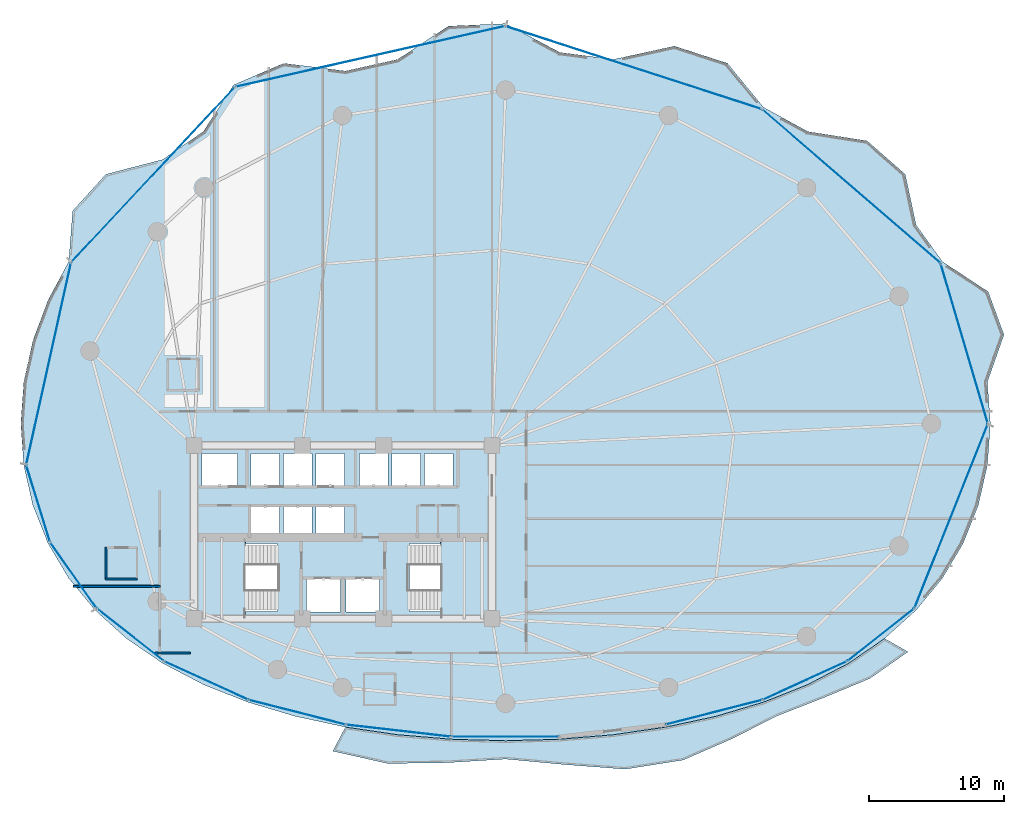
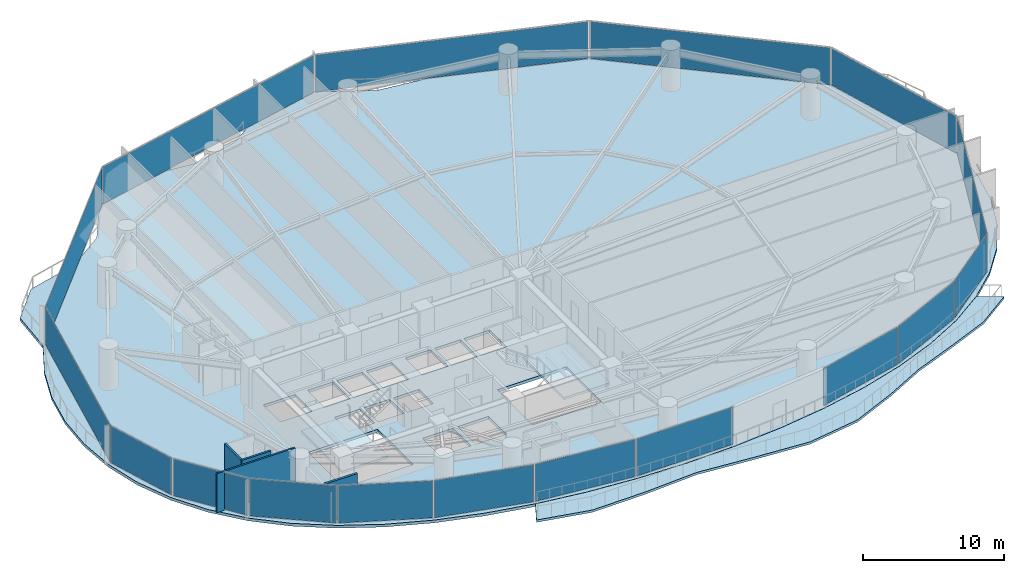
# One storey, part 25 of 33: 17 plates, 4 slabs, 4 walls, 19 elements without a shape of their own.
"""IFC4 building model written with IfcOpenShell, lengths in metres."""

from ifc_helpers import new_model, si_unit, direction, frame, frame_2d, origin, origin_2d, place, context, subcontext, project, spatial, polyline, rectangle, outline, extrude, material, layer, layer_set, type_object, element, aggregate, save


model = new_model("IFC4")

# Units and contexts
model_context = context("Model", 3, precision=1e-05, world=origin(), true_north=direction((0.0, 1.0)))
body_context = subcontext(model_context, "Body", "Model", "MODEL_VIEW")
ifc_project = project(units=[si_unit("LENGTHUNIT", "METRE"), si_unit("AREAUNIT", "SQUARE_METRE"), si_unit("VOLUMEUNIT", "CUBIC_METRE"), si_unit("PLANEANGLEUNIT", "RADIAN"), si_unit("MASSUNIT", "GRAM", prefix="KILO")], contexts=[model_context])

# Site, building, storey
site_placement = place(None, origin())
site = spatial("IfcSite", under=ifc_project, at=site_placement, CompositionType="ELEMENT")
building_placement = place(site_placement, origin())
building = spatial("IfcBuilding", under=site, at=building_placement, Name="Kazevale Care Tower and Concert Hall", CompositionType="ELEMENT")
storey_placement = place(building_placement, frame((0.0, 0.0, 27.60009765625)))
storey = spatial("IfcBuildingStorey", under=building, at=storey_placement, Name="L06", CompositionType="ELEMENT", Elevation=27.60009765625)

# Curtain wall, plate
ifc_material_1 = material(Name="Aluminium 6063-T6 and Low-E Glass", Category="aluminium")
ifc_layer_1 = layer(ifc_material_1, 0.179931640625)
ifc_layer_set_1 = layer_set([ifc_layer_1], Name="Aluminium 6063-T6 and Low-E Glass")
curtain_wall_type_1 = type_object("IfcCurtainWallType", Name="Convex Checkerboard Finned Curtain Wall CW-2", PredefinedType="NOTDEFINED", material=ifc_layer_set_1)
curtain_wall_1_placement = place(storey_placement, origin())
curtain_wall_1 = element("IfcCurtainWall", 1, at=curtain_wall_1_placement, inside=storey, type_object=curtain_wall_type_1, Name="cw:L06:f14", PredefinedType="NOTDEFINED")
ifc_material_2 = material(Name="Low-E Laminated Glass", Category="glass")
ifc_layer_2 = layer(ifc_material_2, 0.028076171875)
ifc_layer_set_2 = layer_set([ifc_layer_2], Name="Low-E Laminated Glass")
plate_type_1 = type_object("IfcPlateType", Name="CW-2 Low-E Glazing Panel 28mm", PredefinedType="CURTAIN_PANEL", material=ifc_layer_set_2)
plate_1_placement = place(storey_placement, frame((18.9794921875, 56.39990234375, 0.074951171875), z_axis=(0.0, 0.0, 1.0), x_axis=(0.683059159381, 0.730363049987, 0.0)))
plate_1 = element("IfcPlate", 2, at=plate_1_placement, type_object=plate_type_1, Name="CW-2 panel 1.1", PredefinedType="CURTAIN_PANEL", context=body_context, shape_type="SweptSolid", body=[
    extrude(rectangle(XDim=17.576416015625, YDim=0.028076171875, at=origin_2d()), origin(), (0.0, 0.0, 1.0), 3.2099609375),
])
aggregate(curtain_wall_1, [plate_1])

curtain_wall_2_placement = place(storey_placement, origin())
curtain_wall_2 = element("IfcCurtainWall", 3, at=curtain_wall_2_placement, inside=storey, type_object=curtain_wall_type_1, Name="cw:L06:f16", PredefinedType="NOTDEFINED")
plate_2_placement = place(storey_placement, frame((54.444580078125, 64.298095703125, 0.074951171875), z_axis=(0.0, 0.0, 1.0), x_axis=(0.951410385043, -0.307925769029, 0.0)))
plate_2 = element("IfcPlate", 4, at=plate_2_placement, type_object=plate_type_1, Name="CW-2 panel 1.1", PredefinedType="CURTAIN_PANEL", context=body_context, shape_type="SweptSolid", body=[
    extrude(rectangle(XDim=19.77978515625, YDim=0.028076171875, at=origin_2d()), origin(), (0.0, 0.0, 1.0), 3.2099609375),
])
aggregate(curtain_wall_2, [plate_2])

ifc_layer_3 = layer(ifc_material_1, 0.179931640625)
ifc_layer_set_3 = layer_set([ifc_layer_3], Name="Aluminium 6063-T6 and Low-E Glass")
curtain_wall_type_2 = type_object("IfcCurtainWallType", Name="Convex Recessed Sunroom Curtain Wall CW-3", PredefinedType="NOTDEFINED", material=ifc_layer_set_3)
curtain_wall_3_placement = place(storey_placement, origin())
curtain_wall_3 = element("IfcCurtainWall", 5, at=curtain_wall_3_placement, inside=storey, type_object=curtain_wall_type_2, Name="cw:L06:f15", PredefinedType="NOTDEFINED")
ifc_layer_4 = layer(ifc_material_2, 0.028076171875)
ifc_layer_set_4 = layer_set([ifc_layer_4], Name="Low-E Laminated Glass")
plate_type_2 = type_object("IfcPlateType", Name="CW-3 Low-E Glazing Panel 28mm", PredefinedType="CURTAIN_PANEL", material=ifc_layer_set_4)
plate_3_placement = place(storey_placement, frame((34.998046875, 65.12255859375, 0.074951171875), z_axis=(0.0, 0.0, 1.0), x_axis=(0.975520013596, 0.219910670667, 0.0)))
plate_3 = element("IfcPlate", 6, at=plate_3_placement, type_object=plate_type_2, Name="CW-3 panel 1.1", PredefinedType="CURTAIN_PANEL", context=body_context, shape_type="SweptSolid", body=[
    extrude(rectangle(XDim=20.27197265625, YDim=0.028076171875, at=origin_2d()), origin(), (0.0, 0.0, 1.0), 3.2099609375),
])
aggregate(curtain_wall_3, [plate_3])

curtain_wall_4_placement = place(storey_placement, origin())
curtain_wall_4 = element("IfcCurtainWall", 7, at=curtain_wall_4_placement, inside=storey, type_object=curtain_wall_type_2, Name="cw:L06:f17", PredefinedType="NOTDEFINED")
plate_4_placement = place(storey_placement, frame((70.529052734375, 55.535400390625, 0.074951171875), z_axis=(0.0, 0.0, 1.0), x_axis=(0.757199570248, -0.653183596561, 0.0)))
plate_4 = element("IfcPlate", 8, at=plate_4_placement, type_object=plate_type_2, Name="CW-3 panel 1.1", PredefinedType="CURTAIN_PANEL", context=body_context, shape_type="SweptSolid", body=[
    extrude(rectangle(XDim=17.280029296875, YDim=0.028076171875, at=origin_2d()), origin(), (0.0, 0.0, 1.0), 3.2099609375),
])
aggregate(curtain_wall_4, [plate_4])

ifc_layer_5 = layer(ifc_material_1, 0.179931640625)
ifc_layer_set_5 = layer_set([ifc_layer_5], Name="Aluminium 6063-T6 and Low-E Glass")
curtain_wall_type_3 = type_object("IfcCurtainWallType", Name="Waist & Upper Residential Curtain Wall CW-4", PredefinedType="NOTDEFINED", material=ifc_layer_set_5)
curtain_wall_5_placement = place(storey_placement, origin())
curtain_wall_5 = element("IfcCurtainWall", 9, at=curtain_wall_5_placement, inside=storey, type_object=curtain_wall_type_3, Name="cw:L06:f01", PredefinedType="NOTDEFINED")
ifc_layer_6 = layer(ifc_material_2, 0.030029296875)
ifc_layer_set_6 = layer_set([ifc_layer_6], Name="Low-E Laminated Glass")
plate_type_3 = type_object("IfcPlateType", Name="CW-4 Low-E Glazing Panel 30mm", PredefinedType="CURTAIN_PANEL", material=ifc_layer_set_6)
plate_5_placement = place(storey_placement, frame((77.90087890625, 31.181884765625, 0.080078125), z_axis=(0.0, 0.0, 1.0), x_axis=(-0.370427424456, -0.928861412274, 0.0)))
plate_5 = element("IfcPlate", 10, at=plate_5_placement, type_object=plate_type_3, Name="CW-4 panel 1.1", PredefinedType="CURTAIN_PANEL", context=body_context, shape_type="SweptSolid", body=[
    extrude(rectangle(XDim=14.520263671875, YDim=0.030029296875, at=origin_2d()), origin(), (0.0, 0.0, 1.0), 3.199951171875),
])
aggregate(curtain_wall_5, [plate_5])

curtain_wall_6_placement = place(storey_placement, origin())
curtain_wall_6 = element("IfcCurtainWall", 11, at=curtain_wall_6_placement, inside=storey, type_object=curtain_wall_type_3, Name="cw:L06:f11", PredefinedType="NOTDEFINED")
plate_6_placement = place(storey_placement, frame((13.094482421875, 26.81103515625, 0.080078125), z_axis=(0.0, 0.0, 1.0), x_axis=(-0.575836813322, 0.817564654583, 0.0)))
plate_6 = element("IfcPlate", 12, at=plate_6_placement, type_object=plate_type_3, Name="CW-4 panel 1.1", PredefinedType="CURTAIN_PANEL", context=body_context, shape_type="SweptSolid", body=[
    extrude(rectangle(XDim=5.826171875, YDim=0.030029296875, at=origin_2d()), origin(), (0.0, 0.0, 1.0), 3.199951171875),
])
aggregate(curtain_wall_6, [plate_6])

curtain_wall_7_placement = place(storey_placement, origin())
curtain_wall_7 = element("IfcCurtainWall", 13, at=curtain_wall_7_placement, inside=storey, type_object=curtain_wall_type_3, Name="cw:L06:f12", PredefinedType="NOTDEFINED")
plate_7_placement = place(storey_placement, frame((10.487548828125, 32.10791015625, 0.080078125), z_axis=(0.0, 0.0, 1.0), x_axis=(-0.296098771112, 0.955157326175, 0.0)))
plate_7 = element("IfcPlate", 14, at=plate_7_placement, type_object=plate_type_3, Name="CW-4 panel 1.1", PredefinedType="CURTAIN_PANEL", context=body_context, shape_type="SweptSolid", body=[
    extrude(rectangle(XDim=5.8076171875, YDim=0.030029296875, at=origin_2d()), origin(), (0.0, 0.0, 1.0), 3.199951171875),
])
aggregate(curtain_wall_7, [plate_7])

curtain_wall_8_placement = place(storey_placement, origin())
curtain_wall_8 = element("IfcCurtainWall", 15, at=curtain_wall_8_placement, inside=storey, type_object=curtain_wall_type_3, Name="cw:L06:f13", PredefinedType="NOTDEFINED")
plate_8_placement = place(storey_placement, frame((11.262939453125, 42.4404296875, 0.080078125), z_axis=(0.0, 0.0, 1.0), x_axis=(0.216460716862, 0.976291328475, 0.0)))
plate_8 = element("IfcPlate", 16, at=plate_8_placement, type_object=plate_type_3, Name="CW-4 panel 1.1", PredefinedType="CURTAIN_PANEL", context=body_context, shape_type="SweptSolid", body=[
    extrude(rectangle(XDim=15.16845703125, YDim=0.030029296875, at=origin_2d()), origin(), (0.0, 0.0, 1.0), 3.199951171875),
])
aggregate(curtain_wall_8, [plate_8])

curtain_wall_9_placement = place(storey_placement, origin())
curtain_wall_9 = element("IfcCurtainWall", 17, at=curtain_wall_9_placement, inside=storey, type_object=curtain_wall_type_3, Name="cw:L06:f18", PredefinedType="NOTDEFINED")
plate_9_placement = place(storey_placement, frame((78.8740234375, 43.92138671875, 0.080078125), z_axis=(0.0, 0.0, 1.0), x_axis=(0.282819600918, -0.959173119586, 0.0)))
plate_9 = element("IfcPlate", 18, at=plate_9_placement, type_object=plate_type_3, Name="CW-4 panel 1.1", PredefinedType="CURTAIN_PANEL", context=body_context, shape_type="SweptSolid", body=[
    extrude(rectangle(XDim=12.18701171875, YDim=0.030029296875, at=origin_2d()), origin(), (0.0, 0.0, 1.0), 3.199951171875),
])
aggregate(curtain_wall_9, [plate_9])

ifc_layer_7 = layer(ifc_material_1, 0.179931640625)
ifc_layer_set_7 = layer_set([ifc_layer_7], Name="Aluminium 6063-T6 and Low-E Glass")
curtain_wall_type_4 = type_object("IfcCurtainWallType", Name="Sheltered Concave Balcony Curtain Wall CW-5", PredefinedType="NOTDEFINED", material=ifc_layer_set_7)
curtain_wall_10_placement = place(storey_placement, origin())
curtain_wall_10 = element("IfcCurtainWall", 19, at=curtain_wall_10_placement, inside=storey, type_object=curtain_wall_type_4, Name="cw:L06:f02", PredefinedType="NOTDEFINED")
ifc_layer_8 = layer(ifc_material_2, 0.02587890625)
ifc_layer_set_8 = layer_set([ifc_layer_8], Name="Low-E Laminated Glass")
plate_type_4 = type_object("IfcPlateType", Name="CW-5 Low-E Glazing Panel 26mm", PredefinedType="CURTAIN_PANEL", material=ifc_layer_set_8)
plate_10_placement = place(storey_placement, frame((72.701904296875, 22.41552734375, 0.074951171875), z_axis=(0.0, 0.0, 1.0), x_axis=(-0.78632934107, -0.617807548814, 0.0)))
plate_10 = element("IfcPlate", 20, at=plate_10_placement, type_object=plate_type_4, Name="CW-5 panel 1.1", PredefinedType="CURTAIN_PANEL", context=body_context, shape_type="SweptSolid", body=[
    extrude(rectangle(XDim=6.15771484375, YDim=0.02587890625, at=origin_2d()), origin(), (0.0, 0.0, 1.0), 3.2099609375),
])
aggregate(curtain_wall_10, [plate_10])

curtain_wall_11_placement = place(storey_placement, origin())
curtain_wall_11 = element("IfcCurtainWall", 21, at=curtain_wall_11_placement, inside=storey, type_object=curtain_wall_type_4, Name="cw:L06:f03", PredefinedType="NOTDEFINED")
plate_11_placement = place(storey_placement, frame((67.10498046875, 19.04248046875, 0.074951171875), z_axis=(0.0, 0.0, 1.0), x_axis=(-0.909520179795, -0.415659767773, 0.0)))
plate_11 = element("IfcPlate", 22, at=plate_11_placement, type_object=plate_type_4, Name="CW-5 panel 1.1", PredefinedType="CURTAIN_PANEL", context=body_context, shape_type="SweptSolid", body=[
    extrude(rectangle(XDim=6.7041015625, YDim=0.02587890625, at=origin_2d()), origin(), (0.0, 0.0, 1.0), 3.2099609375),
])
aggregate(curtain_wall_11, [plate_11])

curtain_wall_12_placement = place(storey_placement, origin())
curtain_wall_12 = element("IfcCurtainWall", 23, at=curtain_wall_12_placement, inside=storey, type_object=curtain_wall_type_4, Name="cw:L06:f04", PredefinedType="NOTDEFINED")
plate_12_placement = place(storey_placement, frame((60.389892578125, 16.699951171875, 0.074951171875), z_axis=(0.0, 0.0, 1.0), x_axis=(-0.968958899798, -0.247221864936, 0.0)))
plate_12 = element("IfcPlate", 24, at=plate_12_placement, type_object=plate_type_4, Name="CW-5 panel 1.1", PredefinedType="CURTAIN_PANEL", context=body_context, shape_type="SweptSolid", body=[
    extrude(rectangle(XDim=7.276611328125, YDim=0.02587890625, at=origin_2d()), origin(), (0.0, 0.0, 1.0), 3.2099609375),
])
aggregate(curtain_wall_12, [plate_12])

curtain_wall_13_placement = place(storey_placement, origin())
curtain_wall_13 = element("IfcCurtainWall", 25, at=curtain_wall_13_placement, inside=storey, type_object=curtain_wall_type_4, Name="cw:L06:f06", PredefinedType="NOTDEFINED")
plate_13_placement = place(storey_placement, frame((45.0, 14.889892578125, 0.074951171875), z_axis=(0.0, 0.0, 1.0), x_axis=(-1.0, 0.0, 0.0)))
plate_13 = element("IfcPlate", 26, at=plate_13_placement, type_object=plate_type_4, Name="CW-5 panel 1.1", PredefinedType="CURTAIN_PANEL", context=body_context, shape_type="SweptSolid", body=[
    extrude(rectangle(XDim=7.845947265625, YDim=0.02587890625, at=origin_2d()), origin(), (0.0, 0.0, 1.0), 3.2099609375),
])
aggregate(curtain_wall_13, [plate_13])

curtain_wall_14_placement = place(storey_placement, origin())
curtain_wall_14 = element("IfcCurtainWall", 27, at=curtain_wall_14_placement, inside=storey, type_object=curtain_wall_type_4, Name="cw:L06:f07", PredefinedType="NOTDEFINED")
plate_14_placement = place(storey_placement, frame((37.10498046875, 15.3359375, 0.074951171875), z_axis=(0.0, 0.0, 1.0), x_axis=(-0.993514581883, 0.113704773808, 0.0)))
plate_14 = element("IfcPlate", 28, at=plate_14_placement, type_object=plate_type_4, Name="CW-5 panel 1.1", PredefinedType="CURTAIN_PANEL", context=body_context, shape_type="SweptSolid", body=[
    extrude(rectangle(XDim=7.69482421875, YDim=0.02587890625, at=origin_2d()), origin(), (0.0, 0.0, 1.0), 3.2099609375),
])
aggregate(curtain_wall_14, [plate_14])

curtain_wall_15_placement = place(storey_placement, origin())
curtain_wall_15 = element("IfcCurtainWall", 29, at=curtain_wall_15_placement, inside=storey, type_object=curtain_wall_type_4, Name="cw:L06:f08", PredefinedType="NOTDEFINED")
plate_15_placement = place(storey_placement, frame((29.610107421875, 16.699951171875, 0.074951171875), z_axis=(0.0, 0.0, 1.0), x_axis=(-0.968958899798, 0.247221864936, 0.0)))
plate_15 = element("IfcPlate", 30, at=plate_15_placement, type_object=plate_type_4, Name="CW-5 panel 1.1", PredefinedType="CURTAIN_PANEL", context=body_context, shape_type="SweptSolid", body=[
    extrude(rectangle(XDim=7.276611328125, YDim=0.02587890625, at=origin_2d()), origin(), (0.0, 0.0, 1.0), 3.2099609375),
])
aggregate(curtain_wall_15, [plate_15])

curtain_wall_16_placement = place(storey_placement, origin())
curtain_wall_16 = element("IfcCurtainWall", 31, at=curtain_wall_16_placement, inside=storey, type_object=curtain_wall_type_4, Name="cw:L06:f09", PredefinedType="NOTDEFINED")
plate_16_placement = place(storey_placement, frame((22.89501953125, 19.04248046875, 0.074951171875), z_axis=(0.0, 0.0, 1.0), x_axis=(-0.909520179795, 0.415659767773, 0.0)))
plate_16 = element("IfcPlate", 32, at=plate_16_placement, type_object=plate_type_4, Name="CW-5 panel 1.1", PredefinedType="CURTAIN_PANEL", context=body_context, shape_type="SweptSolid", body=[
    extrude(rectangle(XDim=6.7041015625, YDim=0.02587890625, at=origin_2d()), origin(), (0.0, 0.0, 1.0), 3.2099609375),
])
aggregate(curtain_wall_16, [plate_16])

curtain_wall_17_placement = place(storey_placement, origin())
curtain_wall_17 = element("IfcCurtainWall", 33, at=curtain_wall_17_placement, inside=storey, type_object=curtain_wall_type_4, Name="cw:L06:f10", PredefinedType="NOTDEFINED")
plate_17_placement = place(storey_placement, frame((17.298095703125, 22.41552734375, 0.074951171875), z_axis=(0.0, 0.0, 1.0), x_axis=(-0.78632934107, 0.617807548814, 0.0)))
plate_17 = element("IfcPlate", 34, at=plate_17_placement, type_object=plate_type_4, Name="CW-5 panel 1.1", PredefinedType="CURTAIN_PANEL", context=body_context, shape_type="SweptSolid", body=[
    extrude(rectangle(XDim=6.15771484375, YDim=0.02587890625, at=origin_2d()), origin(), (0.0, 0.0, 1.0), 3.2099609375),
])
aggregate(curtain_wall_17, [plate_17])

# Slab
ifc_material_3 = material(Name="Concrete C40", Category="concrete")
ifc_layer_9 = layer(ifc_material_3, 0.199951171875)
ifc_layer_set_9 = layer_set([ifc_layer_9], Name="Concrete C40")
slab_type_1 = type_object("IfcSlabType", Name="Sinusoidal Concave Balcony Slab 200", PredefinedType="USERDEFINED", material=ifc_layer_set_9)
slab_1_placement = place(storey_placement, frame((0.0, 0.0, -0.2001953125)))
element("IfcSlab", 35, at=slab_1_placement, inside=storey, type_object=slab_type_1, Name="slab:L06:bal", ObjectType="BALCONY", PredefinedType="USERDEFINED", context=body_context, shape_type="SweptSolid", body=[
    extrude(outline(polyline([(74.71484375, 21.166015625), (71.909423828125, 19.197509765625), (68.461181640625, 17.7646484375), (65.004150390625, 16.41455078125), (61.725830078125, 14.74462890625), (58.10986328125, 13.169921875), (53.849609375, 12.497802734375), (49.330322265625, 12.839599609375), (45.0, 13.246337890625), (40.693115234375, 12.9755859375), (36.295654296875, 12.91650390625), (32.23828125, 13.8291015625), (33.173583984375, 15.6005859375), (33.175048828125, 15.600341796875), (37.033203125, 15.038818359375), (40.991455078125, 14.705322265625), (45.0, 14.594970703125), (49.008544921875, 14.705322265625), (52.966796875, 15.038818359375), (56.824951171875, 15.600341796875), (60.5341796875, 16.3984375), (64.04833984375, 17.443115234375), (67.322998046875, 18.743408203125), (70.31689453125, 20.3076171875), (72.99267578125, 22.139404296875), (72.994140625, 22.140625), (74.71484375, 21.166015625)])), origin(), (0.0, 0.0, 1.0), 0.2001953125),
])

# Stair, slab
stair_type = type_object("IfcStairType", Name="Exit Stair Assembly ST1-Z1", PredefinedType="HALF_TURN_STAIR", material=ifc_material_3)
stair_1_placement = place(storey_placement, origin())
stair_1 = element("IfcStair", 36, at=stair_1_placement, inside=storey, type_object=stair_type, Name="stair:L06:ST1", PredefinedType="HALF_TURN_STAIR")
ifc_layer_10 = layer(ifc_material_3, 0.199951171875)
ifc_layer_set_10 = layer_set([ifc_layer_10], Name="Concrete C40")
slab_type_2 = type_object("IfcSlabType", Name="Stair Half-Landing Slab ST1-Z1", PredefinedType="LANDING", material=ifc_layer_set_10)
slab_2_placement = place(storey_placement, frame((0.0, 0.0, 1.599853515625)))
slab_2 = element("IfcSlab", 37, at=slab_2_placement, type_object=slab_type_2, Name="ST1-Z1 landing 1", PredefinedType="LANDING", context=body_context, shape_type="SweptSolid", body=[
    extrude(outline(polyline([(22.050048828125, 23.699951171875), (25.81005859375, 23.699951171875), (25.81005859375, 29.5), (22.050048828125, 29.5), (22.050048828125, 23.699951171875)])), origin(), (0.0, 0.0, 1.0), 0.199951171875),
])
aggregate(stair_1, [slab_2])

stair_2_placement = place(storey_placement, origin())
stair_2 = element("IfcStair", 38, at=stair_2_placement, inside=storey, type_object=stair_type, Name="stair:L06:ST2", PredefinedType="HALF_TURN_STAIR")
slab_3_placement = place(storey_placement, frame((0.0, 0.0, 1.599853515625)))
slab_3 = element("IfcSlab", 39, at=slab_3_placement, type_object=slab_type_2, Name="ST1-Z1 landing 1", PredefinedType="LANDING", context=body_context, shape_type="SweptSolid", body=[
    extrude(outline(polyline([(40.18994140625, 23.699951171875), (43.949951171875, 23.699951171875), (43.949951171875, 29.5), (40.18994140625, 29.5), (40.18994140625, 23.699951171875)])), origin(), (0.0, 0.0, 1.0), 0.199951171875),
])
aggregate(stair_2, [slab_3])

# Slab
ifc_layer_11 = layer(ifc_material_3, 0.239990234375)
ifc_layer_set_11 = layer_set([ifc_layer_11], Name="Concrete C40")
slab_type_3 = type_object("IfcSlabType", Name="Tower Typical Floor Slab 240", PredefinedType="FLOOR", material=ifc_layer_set_11)
slab_4_placement = place(storey_placement, frame((0.0, 0.0, -0.239990234375)))
element("IfcSlab", 40, at=slab_4_placement, inside=storey, type_object=slab_type_3, Name="slab:L06:tw:1", PredefinedType="FLOOR", context=body_context, shape_type="SweptSolid", body=[
    extrude(outline(polyline([(80.800048828125, 38.0), (80.574951171875, 41.090087890625), (81.803466796875, 44.575439453125), (80.631591796875, 47.759765625), (77.254638671875, 49.97509765625), (75.312744140625, 52.68408203125), (74.51416015625, 56.424072265625), (71.693359375, 58.89501953125), (67.32080078125, 59.57861328125), (64.046630859375, 61.36962890625), (61.379150390625, 64.62353515625), (57.468017578125, 65.891845703125), (52.96630859375, 64.907958984375), (49.00830078125, 65.426513671875), (45.0, 67.550048828125), (40.773193359375, 67.3642578125), (37.03369140625, 64.907958984375), (33.176025390625, 64.05126953125), (28.620849609375, 64.62353515625), (24.915771484375, 63.020751953125), (22.67919921875, 59.57861328125), (19.685546875, 57.51611328125), (15.48583984375, 56.424072265625), (13.0361328125, 53.721435546875), (12.745361328125, 49.97509765625), (11.208984375, 47.11572265625), (10.09765625, 44.1416015625), (9.425048828125, 41.090087890625), (9.199951171875, 38.0), (9.425048828125, 34.931640625), (10.09765625, 31.972412109375), (11.208984375, 29.178466796875), (12.745361328125, 26.591064453125), (14.687255859375, 24.239501953125), (17.010498046875, 22.143310546875), (19.685546875, 20.31201171875), (22.67919921875, 18.748046875), (25.953369140625, 17.44775390625), (29.467041015625, 16.4033203125), (33.176025390625, 15.605224609375), (37.03369140625, 15.043701171875), (40.99169921875, 14.71044921875), (45.0, 14.60009765625), (49.00830078125, 14.71044921875), (52.96630859375, 15.043701171875), (56.823974609375, 15.605224609375), (60.532958984375, 16.4033203125), (64.046630859375, 17.44775390625), (67.32080078125, 18.748046875), (70.314453125, 20.31201171875), (72.989501953125, 22.143310546875), (75.312744140625, 24.239501953125), (77.254638671875, 26.591064453125), (78.791015625, 29.178466796875), (79.90234375, 31.972412109375), (80.574951171875, 34.931640625), (80.800048828125, 38.0)]), holes=[polyline([(22.449951171875, 24.14990234375), (28.110107421875, 24.14990234375), (28.110107421875, 29.14990234375), (22.449951171875, 29.14990234375), (22.449951171875, 24.14990234375)]), polyline([(37.889892578125, 24.14990234375), (43.550048828125, 24.14990234375), (43.550048828125, 29.14990234375), (37.889892578125, 29.14990234375), (37.889892578125, 24.14990234375)]), polyline([(30.300048828125, 24.10009765625), (32.800048828125, 24.10009765625), (32.800048828125, 26.60009765625), (30.300048828125, 26.60009765625), (30.300048828125, 24.10009765625)]), polyline([(33.199951171875, 24.10009765625), (35.699951171875, 24.10009765625), (35.699951171875, 26.60009765625), (33.199951171875, 26.60009765625), (33.199951171875, 24.10009765625)]), polyline([(22.60009765625, 33.39990234375), (25.199951171875, 33.39990234375), (25.199951171875, 35.800048828125), (22.60009765625, 35.800048828125), (22.60009765625, 33.39990234375)]), polyline([(26.199951171875, 33.39990234375), (28.300048828125, 33.39990234375), (28.300048828125, 35.800048828125), (26.199951171875, 35.800048828125), (26.199951171875, 33.39990234375)]), polyline([(28.60009765625, 33.39990234375), (30.699951171875, 33.39990234375), (30.699951171875, 35.800048828125), (28.60009765625, 35.800048828125), (28.60009765625, 33.39990234375)]), polyline([(31.0, 33.39990234375), (33.10009765625, 33.39990234375), (33.10009765625, 35.800048828125), (31.0, 35.800048828125), (31.0, 33.39990234375)]), polyline([(34.199951171875, 33.39990234375), (36.300048828125, 33.39990234375), (36.300048828125, 35.800048828125), (34.199951171875, 35.800048828125), (34.199951171875, 33.39990234375)]), polyline([(36.60009765625, 33.39990234375), (38.699951171875, 33.39990234375), (38.699951171875, 35.800048828125), (36.60009765625, 35.800048828125), (36.60009765625, 33.39990234375)]), polyline([(39.0, 33.39990234375), (41.10009765625, 33.39990234375), (41.10009765625, 35.800048828125), (39.0, 35.800048828125), (39.0, 33.39990234375)]), polyline([(26.199951171875, 29.949951171875), (28.300048828125, 29.949951171875), (28.300048828125, 31.949951171875), (26.199951171875, 31.949951171875), (26.199951171875, 29.949951171875)]), polyline([(28.60009765625, 29.949951171875), (30.699951171875, 29.949951171875), (30.699951171875, 31.949951171875), (28.60009765625, 31.949951171875), (28.60009765625, 29.949951171875)]), polyline([(31.0, 29.949951171875), (33.10009765625, 29.949951171875), (33.10009765625, 31.949951171875), (31.0, 31.949951171875), (31.0, 29.949951171875)])]), origin(), (0.0, 0.0, 1.0), 0.239990234375),
])

# Walls
ifc_material_4 = material(Name="Acoustic Gypsum on Steel Stud", Category="steel")
ifc_layer_12 = layer(ifc_material_4, 0.139892578125)
ifc_layer_set_12 = layer_set([ifc_layer_12], Name="Acoustic Gypsum on Steel Stud")
wall_type_1 = type_object("IfcWallType", Name="Acoustic Care & Suite Partition 140", PredefinedType="PARTITIONING", material=ifc_layer_set_12)
wall_1_placement = place(storey_placement, frame((13.0869140625, 26.0, 0.0), z_axis=(0.0, 0.0, 1.0), x_axis=(1.0, 0.0, 0.0)))
element("IfcWall", 41, at=wall_1_placement, inside=storey, type_object=wall_type_1, Name="wall:L06:auto_031", PredefinedType="PARTITIONING", context=body_context, shape_type="SweptSolid", body=[
    extrude(rectangle(XDim=6.41796875, YDim=0.139892578125, at=frame_2d((3.208984375, 0.0))), origin(), (0.0, 0.0, 1.0), 3.35986328125),
])
ifc_material_5 = material(Name="Concrete C40 and Acoustic Gypsum", Category="concrete")
ifc_layer_13 = layer(ifc_material_5, 0.179931640625)
ifc_layer_set_13 = layer_set([ifc_layer_13], Name="Concrete C40 and Acoustic Gypsum")
wall_type_2 = type_object("IfcWallType", Name="Fire-Rated Corridor & Party Wall 180", PredefinedType="PARTITIONING", material=ifc_layer_set_13)
wall_2_placement = place(storey_placement, frame((21.739990234375, 21.074951171875, 0.0), z_axis=(0.0, 0.0, 1.0), x_axis=(-1.0, 0.0, 0.0)))
element("IfcWall", 42, at=wall_2_placement, inside=storey, type_object=wall_type_2, Name="wall:L06:auto_016", PredefinedType="PARTITIONING", context=body_context, shape_type="SweptSolid", body=[
    extrude(rectangle(XDim=2.64501953125, YDim=0.179931640625, at=frame_2d((1.322509765625, 0.0))), origin(), (0.0, 0.0, 1.0), 3.35986328125),
])
ifc_layer_14 = layer(ifc_material_4, 0.159912109375)
ifc_layer_set_14 = layer_set([ifc_layer_14], Name="Acoustic Gypsum on Steel Stud")
wall_type_3 = type_object("IfcWallType", Name="Moisture-Resistant Bathroom Plumbing Wall 160", PredefinedType="PLUMBINGWALL", material=ifc_layer_set_14)
for number, where, z_axis, x_axis, name in (
    (43, (15.447998046875, 26.550048828125, 0.0), (0.0, 0.0, 1.0), (1.0, 0.0, 0.0), "wall:L06:wb2_ens_ws"),
    (44, (15.488037109375, 26.510009765625, 0.0), (0.0, 0.0, 1.0), (0.0, 1.0, 0.0), "wall:L06:wb2_ens_ww"),
):
    element("IfcWall", number, at=place(storey_placement, frame(where, z_axis=z_axis, x_axis=x_axis)), inside=storey, type_object=wall_type_3, Name=name, PredefinedType="PLUMBINGWALL", context=body_context, shape_type="SweptSolid", body=[
        extrude(rectangle(XDim=2.3798828125, YDim=0.159912109375, at=frame_2d((1.18994140625, 0.0))), origin(), (0.0, 0.0, 1.0), 3.35986328125),
    ])

save(model, "model.ifc")
